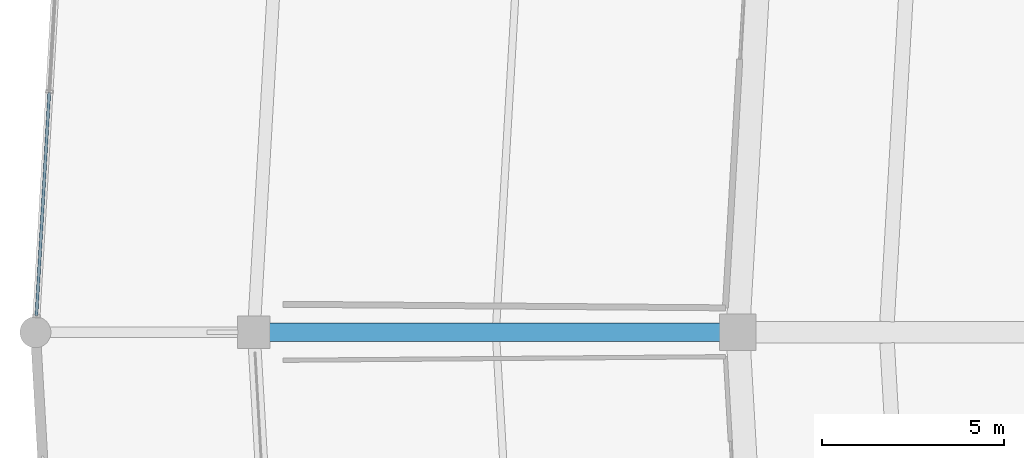
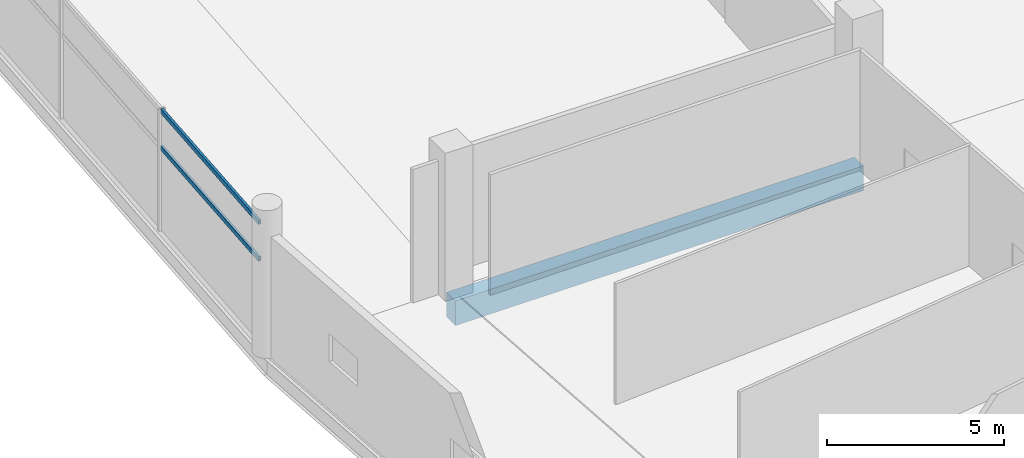
# One storey, part 37 of 184: 2 members, 1 beam, 1 element without a shape of its own.
"""IFC4 building model written with IfcOpenShell, lengths in metres."""

from ifc_helpers import new_model, si_unit, direction, frame, origin, origin_2d, place, context, subcontext, project, spatial, rectangle, hollow_rectangle, extrude, material, layer, layer_set, material_profile, profile_set, type_object, element, aggregate, save


model = new_model("IFC4")

# Units and contexts
model_context = context("Model", 3, precision=1e-05, world=origin(), true_north=direction((0.0, 1.0)))
body_context = subcontext(model_context, "Body", "Model", "MODEL_VIEW")
ifc_project = project(units=[si_unit("LENGTHUNIT", "METRE"), si_unit("AREAUNIT", "SQUARE_METRE"), si_unit("VOLUMEUNIT", "CUBIC_METRE"), si_unit("PLANEANGLEUNIT", "RADIAN"), si_unit("MASSUNIT", "GRAM", prefix="KILO")], contexts=[model_context])

# Site, building, storey
site_placement = place(None, origin())
site = spatial("IfcSite", under=ifc_project, at=site_placement, CompositionType="ELEMENT")
building_placement = place(site_placement, origin())
building = spatial("IfcBuilding", under=site, at=building_placement, Name="Kazemori Nagisa Stadium", CompositionType="ELEMENT")
storey_placement = place(building_placement, frame((0.0, 0.0, 10.5400390625)))
storey = spatial("IfcBuildingStorey", under=building, at=storey_placement, Name="L02", CompositionType="ELEMENT", Elevation=10.5400390625)

# Beam
ifc_material_1 = material(Name="Concrete C40/50 (Fc42)", Category="concrete")
ifc_material_profile_1 = material_profile(ifc_material_1, rectangle(XDim=0.5, YDim=0.85009765625, at=origin_2d()), Name="RC-BM-500x850")
ifc_profile_set_1 = profile_set([ifc_material_profile_1], Name="Concrete C40/50 (Fc42)")
beam_type = type_object("IfcBeamType", Name="Beam_BG-RC500X850", PredefinedType="BEAM", material=ifc_profile_set_1)
beam_placement = place(storey_placement, frame((41.300048828125, 102.0, -0.68505859375), z_axis=(-1.0, 0.0, 0.0), x_axis=(0.0, -1.0, 0.0)))
element("IfcBeam", 1, at=beam_placement, inside=storey, type_object=beam_type, Name="Radial girder BG-RC500X850 L02 R2-R3-15", PredefinedType="BEAM", context=body_context, shape_type="SweptSolid", body=[
    extrude(rectangle(XDim=0.5, YDim=0.85009765625, at=origin_2d()), origin(), (0.0, 0.0, 1.0), 13.300048828125),
])

# Curtain wall, members
ifc_material_2 = material(Name="Anodised aluminium 6063-T5", Category="aluminium")
ifc_layer = layer(ifc_material_2, 0.2099609375, Name="Anodised aluminium 6063-T5", Category="aluminium")
ifc_layer_set = layer_set([ifc_layer], Name="Anodised aluminium 6063-T5")
curtain_wall_type = type_object("IfcCurtainWallType", Name="CW_L02R3_93", PredefinedType="USERDEFINED", material=ifc_layer_set)
curtain_wall_placement = place(storey_placement, origin())
curtain_wall = element("IfcCurtainWall", 2, at=curtain_wall_placement, inside=storey, type_object=curtain_wall_type, Name="Unitised curtain wall CW-L02R3-93 L02", ObjectType="UNITISED CURTAIN WALL", PredefinedType="USERDEFINED")
ifc_material_3 = material(Name="Aluminium 6063-T5 anodised", Category="aluminium")
ifc_material_profile_2 = material_profile(ifc_material_3, hollow_rectangle(XDim=0.080078125, YDim=0.159912109375, WallThickness=0.00390625, at=origin_2d()), Name="ALU-TRAN-80x160x4")
ifc_profile_set_2 = profile_set([ifc_material_profile_2], Name="Aluminium 6063-T5 anodised")
member_type = type_object("IfcMemberType", Name="Transom_T02", PredefinedType="USERDEFINED", material=ifc_profile_set_2)
member_1_placement = place(storey_placement, frame((22.38037109375, 108.593994140625, 2.84912109375), z_axis=(-0.057575195868, -0.998341172556, 0.0), x_axis=(0.998341172556, -0.057575195868, 0.0)))
member_1 = element("IfcMember", 3, at=member_1_placement, type_object=member_type, Name="Curtain wall transom CW-L02R3-93-T3-mid", ObjectType="TRANSOM", PredefinedType="USERDEFINED", context=body_context, shape_type="SweptSolid", body=[
    extrude(hollow_rectangle(XDim=0.080078125, YDim=0.159912109375, WallThickness=0.00390625, at=origin_2d()), origin(), (0.0, 0.0, 1.0), 6.14013671875),
])
member_2_placement = place(storey_placement, frame((22.38037109375, 108.593994140625, 4.119873046875), z_axis=(-0.057575195868, -0.998341172556, 0.0), x_axis=(0.998341172556, -0.057575195868, 0.0)))
member_2 = element("IfcMember", 4, at=member_2_placement, type_object=member_type, Name="Curtain wall transom CW-L02R3-93-T3-head", ObjectType="TRANSOM", PredefinedType="USERDEFINED", context=body_context, shape_type="SweptSolid", body=[
    extrude(hollow_rectangle(XDim=0.080078125, YDim=0.159912109375, WallThickness=0.00390625, at=origin_2d()), origin(), (0.0, 0.0, 1.0), 6.14013671875),
])
aggregate(curtain_wall, [member_1, member_2])

save(model, "model.ifc")
